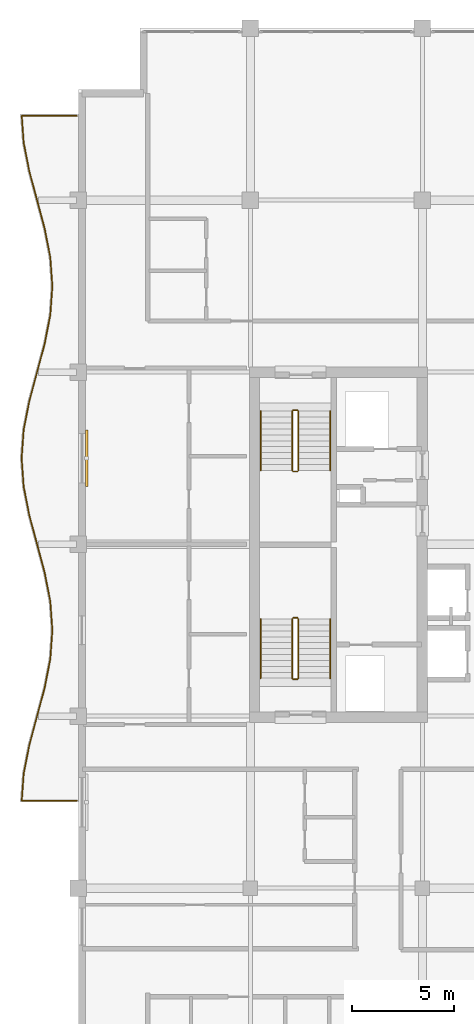
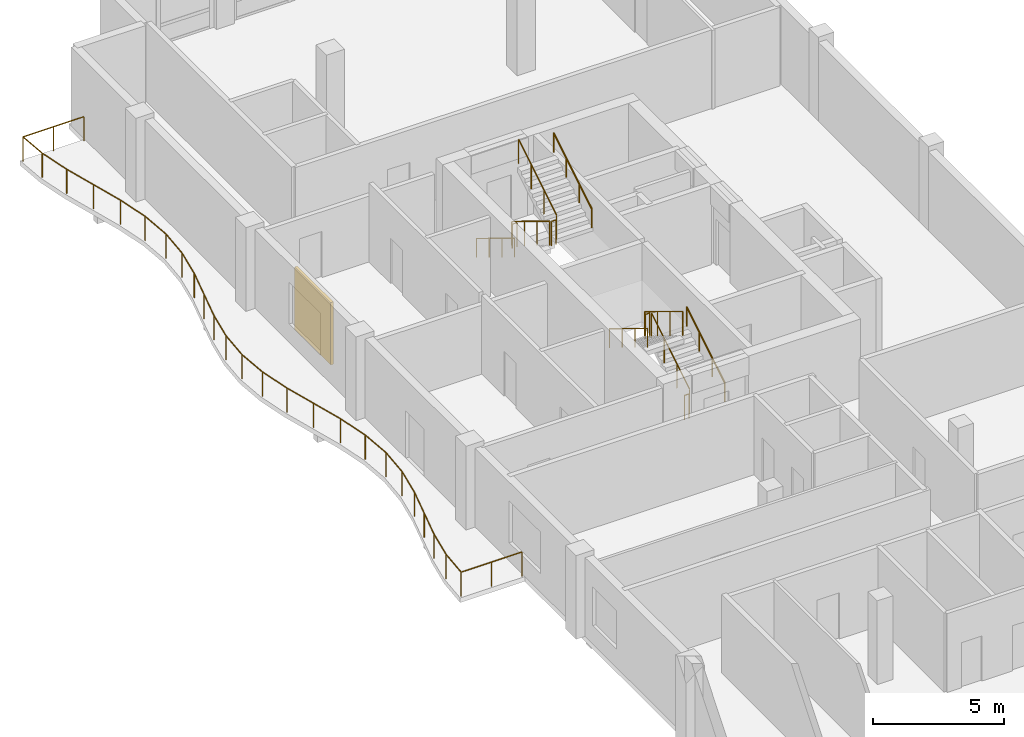
# One storey, part 16 of 17: 13 railings, 1 shading device.
"""IFC4 building model written with IfcOpenShell, lengths in metres."""

from ifc_helpers import new_model, si_unit, direction, frame, origin, origin_2d, place, context, subcontext, project, spatial, rectangle, circle, extrude, material, layer, layer_set, type_object, element, save


model = new_model("IFC4")

# Units and contexts
model_context = context("Model", 3, precision=1e-05, world=origin(), true_north=direction((0.0, 1.0)))
body_context = subcontext(model_context, "Body", "Model", "MODEL_VIEW")
ifc_project = project(units=[si_unit("LENGTHUNIT", "METRE"), si_unit("AREAUNIT", "SQUARE_METRE"), si_unit("VOLUMEUNIT", "CUBIC_METRE"), si_unit("PLANEANGLEUNIT", "RADIAN"), si_unit("MASSUNIT", "GRAM", prefix="KILO")], contexts=[model_context])

# Site, building, storey
site_placement = place(None, origin())
site = spatial("IfcSite", under=ifc_project, at=site_placement, CompositionType="ELEMENT")
building_placement = place(site_placement, origin())
building = spatial("IfcBuilding", under=site, at=building_placement, Name="Koriwani Terraces Tower", CompositionType="ELEMENT")
storey_placement = place(building_placement, frame((0.0, 0.0, 316.39990234375)))
storey = spatial("IfcBuildingStorey", under=building, at=storey_placement, Name="L78", CompositionType="ELEMENT", Elevation=316.39990234375)

# Railings
ifc_material_1 = material(Name="Steel ASTM A572 Grade 50", Category="steel")
railing_type_1 = type_object("IfcRailingType", Name="GUARD_BALUSTRADE_1150", PredefinedType="BALUSTRADE", material=ifc_material_1)
railing_1_placement = place(storey_placement, frame((8.320068359375, 37.8798828125, 0.0)))
element("IfcRailing", 1, at=railing_1_placement, inside=storey, type_object=railing_type_1, Name="L78 Balcony Perimeter Safety Balustrade (W)", PredefinedType="BALUSTRADE", context=body_context, shape_type="SweptSolid", body=[
    extrude(circle(Radius=0.02392578125, at=origin_2d()), frame((0.0, 0.0, 1.1259765625), z_axis=(-1.0, 0.0, 0.0), x_axis=(0.0, -1.0, 0.0)), (0.0, 0.0, 1.0), 2.68408203125),
    extrude(circle(Radius=0.02392578125, at=origin_2d()), frame((-2.68408203125, 0.0, 1.1259765625), z_axis=(0.071590627916, 0.997434099073, 0.0), x_axis=(-0.997434099073, 0.071590627916, 0.0)), (0.0, 0.0, 1.0), 1.31298828125),
    extrude(circle(Radius=0.02392578125, at=origin_2d()), frame((-2.590087890625, 1.3095703125, 1.1259765625), z_axis=(0.19237547223, 0.981321393675, 0.0), x_axis=(-0.981321393675, 0.19237547223, 0.0)), (0.0, 0.0, 1.0), 1.4189453125),
    extrude(circle(Radius=0.02392578125, at=origin_2d()), frame((-2.317138671875, 2.701904296875, 1.1259765625), z_axis=(0.258710827923, 0.965954816498, 0.0), x_axis=(-0.965954816498, 0.258710827923, 0.0)), (0.0, 0.0, 1.0), 2.89892578125),
    extrude(circle(Radius=0.02392578125, at=origin_2d()), frame((-1.567138671875, 5.502197265625, 1.1259765625), z_axis=(0.192218357442, 0.981352180954, 0.0), x_axis=(-0.981352180954, 0.192218357442, 0.0)), (0.0, 0.0, 1.0), 1.43408203125),
    extrude(circle(Radius=0.02392578125, at=origin_2d()), frame((-1.29150390625, 6.909423828125, 1.1259765625), z_axis=(0.071639614309, 0.997430581876, 0.0), x_axis=(-0.997430581876, 0.071639614309, 0.0)), (0.0, 0.0, 1.0), 1.414306640625),
    extrude(circle(Radius=0.02392578125, at=origin_2d()), frame((-1.190185546875, 8.320068359375, 1.1259765625), z_axis=(-0.071639614309, 0.997430581876, 0.0), x_axis=(-0.997430581876, -0.071639614309, 0.0)), (0.0, 0.0, 1.0), 1.414306640625),
    extrude(circle(Radius=0.02392578125, at=origin_2d()), frame((-1.29150390625, 9.730712890625, 1.1259765625), z_axis=(-0.192186246762, 0.981358469957, 0.0), x_axis=(-0.981358469957, -0.192186246762, 0.0)), (0.0, 0.0, 1.0), 1.434326171875),
    extrude(circle(Radius=0.02392578125, at=origin_2d()), frame((-1.567138671875, 11.13818359375, 1.1259765625), z_axis=(-0.258731875344, 0.96594917914, 0.0), x_axis=(-0.96594917914, -0.258731875344, 0.0)), (0.0, 0.0, 1.0), 2.898681640625),
    extrude(circle(Radius=0.02392578125, at=origin_2d()), frame((-2.317138671875, 13.938232421875, 1.1259765625), z_axis=(-0.192342993657, 0.981327760125, 0.0), x_axis=(-0.981327760125, -0.192342993657, 0.0)), (0.0, 0.0, 1.0), 1.419189453125),
    extrude(circle(Radius=0.02392578125, at=origin_2d()), frame((-2.590087890625, 15.330810546875, 1.1259765625), z_axis=(-0.07168297904, 0.997427466293, 0.0), x_axis=(-0.997427466293, -0.07168297904, 0.0)), (0.0, 0.0, 1.0), 1.39306640625),
    extrude(circle(Radius=0.02392578125, at=origin_2d()), frame((-2.68994140625, 16.72021484375, 1.1259765625), z_axis=(0.07168297904, 0.997427466293, 0.0), x_axis=(-0.997427466293, 0.07168297904, 0.0)), (0.0, 0.0, 1.0), 1.39306640625),
    extrude(circle(Radius=0.02392578125, at=origin_2d()), frame((-2.590087890625, 18.109619140625, 1.1259765625), z_axis=(0.19237547223, 0.981321393675, 0.0), x_axis=(-0.981321393675, 0.19237547223, 0.0)), (0.0, 0.0, 1.0), 1.4189453125),
    extrude(circle(Radius=0.02392578125, at=origin_2d()), frame((-2.317138671875, 19.501953125, 1.1259765625), z_axis=(0.258731875344, 0.96594917914, 0.0), x_axis=(-0.96594917914, 0.258731875344, 0.0)), (0.0, 0.0, 1.0), 2.898681640625),
    extrude(circle(Radius=0.02392578125, at=origin_2d()), frame((-1.567138671875, 22.302001953125, 1.1259765625), z_axis=(0.192186246762, 0.981358469957, 0.0), x_axis=(-0.981358469957, 0.192186246762, 0.0)), (0.0, 0.0, 1.0), 1.434326171875),
    extrude(circle(Radius=0.02392578125, at=origin_2d()), frame((-1.29150390625, 23.70947265625, 1.1259765625), z_axis=(0.071639614309, 0.997430581876, 0.0), x_axis=(-0.997430581876, 0.071639614309, 0.0)), (0.0, 0.0, 1.0), 1.414306640625),
    extrude(circle(Radius=0.02392578125, at=origin_2d()), frame((-1.190185546875, 25.1201171875, 1.1259765625), z_axis=(-0.071639614309, 0.997430581876, 0.0), x_axis=(-0.997430581876, -0.071639614309, 0.0)), (0.0, 0.0, 1.0), 1.414306640625),
    extrude(circle(Radius=0.02392578125, at=origin_2d()), frame((-1.29150390625, 26.53076171875, 1.1259765625), z_axis=(-0.192186246762, 0.981358469957, 0.0), x_axis=(-0.981358469957, -0.192186246762, 0.0)), (0.0, 0.0, 1.0), 1.434326171875),
    extrude(circle(Radius=0.02392578125, at=origin_2d()), frame((-1.567138671875, 27.938232421875, 1.1259765625), z_axis=(-0.258731875344, 0.96594917914, 0.0), x_axis=(-0.96594917914, -0.258731875344, 0.0)), (0.0, 0.0, 1.0), 2.898681640625),
    extrude(circle(Radius=0.02392578125, at=origin_2d()), frame((-2.317138671875, 30.73828125, 1.1259765625), z_axis=(-0.19237547223, 0.981321393675, 0.0), x_axis=(-0.981321393675, -0.19237547223, 0.0)), (0.0, 0.0, 1.0), 1.4189453125),
    extrude(circle(Radius=0.02392578125, at=origin_2d()), frame((-2.590087890625, 32.130615234375, 1.1259765625), z_axis=(-0.071590627916, 0.997434099073, 0.0), x_axis=(-0.997434099073, -0.071590627916, 0.0)), (0.0, 0.0, 1.0), 1.31298828125),
    extrude(circle(Radius=0.02392578125, at=origin_2d()), frame((-2.68408203125, 33.440185546875, 1.1259765625), z_axis=(1.0, 0.0, 0.0), x_axis=(0.0, 1.0, 0.0)), (0.0, 0.0, 1.0), 2.68408203125),
    extrude(circle(Radius=0.02099609375, at=origin_2d()), origin(), (0.0, 0.0, 1.0), 1.101806640625),
    extrude(circle(Radius=0.02099609375, at=origin_2d()), frame((-1.342041015625, 0.0, 0.0)), (0.0, 0.0, 1.0), 1.101806640625),
    extrude(circle(Radius=0.02099609375, at=origin_2d()), frame((-2.68408203125, 0.0, 0.0)), (0.0, 0.0, 1.0), 1.101806640625),
    extrude(circle(Radius=0.02099609375, at=origin_2d()), frame((-2.590087890625, 1.3095703125, 0.0)), (0.0, 0.0, 1.0), 1.101806640625),
    extrude(circle(Radius=0.02099609375, at=origin_2d()), frame((-2.317138671875, 2.701904296875, 0.0)), (0.0, 0.0, 1.0), 1.101806640625),
    extrude(circle(Radius=0.02099609375, at=origin_2d()), frame((-1.942138671875, 4.10205078125, 0.0)), (0.0, 0.0, 1.0), 1.101806640625),
    extrude(circle(Radius=0.02099609375, at=origin_2d()), frame((-1.567138671875, 5.502197265625, 0.0)), (0.0, 0.0, 1.0), 1.101806640625),
    extrude(circle(Radius=0.02099609375, at=origin_2d()), frame((-1.29150390625, 6.909423828125, 0.0)), (0.0, 0.0, 1.0), 1.101806640625),
    extrude(circle(Radius=0.02099609375, at=origin_2d()), frame((-1.190185546875, 8.320068359375, 0.0)), (0.0, 0.0, 1.0), 1.101806640625),
    extrude(circle(Radius=0.02099609375, at=origin_2d()), frame((-1.29150390625, 9.730712890625, 0.0)), (0.0, 0.0, 1.0), 1.101806640625),
    extrude(circle(Radius=0.02099609375, at=origin_2d()), frame((-1.567138671875, 11.13818359375, 0.0)), (0.0, 0.0, 1.0), 1.101806640625),
    extrude(circle(Radius=0.02099609375, at=origin_2d()), frame((-1.942138671875, 12.5380859375, 0.0)), (0.0, 0.0, 1.0), 1.101806640625),
    extrude(circle(Radius=0.02099609375, at=origin_2d()), frame((-2.317138671875, 13.938232421875, 0.0)), (0.0, 0.0, 1.0), 1.101806640625),
    extrude(circle(Radius=0.02099609375, at=origin_2d()), frame((-2.590087890625, 15.330810546875, 0.0)), (0.0, 0.0, 1.0), 1.101806640625),
    extrude(circle(Radius=0.02099609375, at=origin_2d()), frame((-2.68994140625, 16.72021484375, 0.0)), (0.0, 0.0, 1.0), 1.101806640625),
    extrude(circle(Radius=0.02099609375, at=origin_2d()), frame((-2.590087890625, 18.109619140625, 0.0)), (0.0, 0.0, 1.0), 1.101806640625),
    extrude(circle(Radius=0.02099609375, at=origin_2d()), frame((-2.317138671875, 19.501953125, 0.0)), (0.0, 0.0, 1.0), 1.101806640625),
    extrude(circle(Radius=0.02099609375, at=origin_2d()), frame((-1.942138671875, 20.90185546875, 0.0)), (0.0, 0.0, 1.0), 1.101806640625),
    extrude(circle(Radius=0.02099609375, at=origin_2d()), frame((-1.567138671875, 22.302001953125, 0.0)), (0.0, 0.0, 1.0), 1.101806640625),
    extrude(circle(Radius=0.02099609375, at=origin_2d()), frame((-1.29150390625, 23.70947265625, 0.0)), (0.0, 0.0, 1.0), 1.101806640625),
    extrude(circle(Radius=0.02099609375, at=origin_2d()), frame((-1.190185546875, 25.1201171875, 0.0)), (0.0, 0.0, 1.0), 1.101806640625),
    extrude(circle(Radius=0.02099609375, at=origin_2d()), frame((-1.29150390625, 26.53076171875, 0.0)), (0.0, 0.0, 1.0), 1.101806640625),
    extrude(circle(Radius=0.02099609375, at=origin_2d()), frame((-1.567138671875, 27.938232421875, 0.0)), (0.0, 0.0, 1.0), 1.101806640625),
    extrude(circle(Radius=0.02099609375, at=origin_2d()), frame((-1.942138671875, 29.33837890625, 0.0)), (0.0, 0.0, 1.0), 1.101806640625),
    extrude(circle(Radius=0.02099609375, at=origin_2d()), frame((-2.317138671875, 30.73828125, 0.0)), (0.0, 0.0, 1.0), 1.101806640625),
    extrude(circle(Radius=0.02099609375, at=origin_2d()), frame((-2.590087890625, 32.130615234375, 0.0)), (0.0, 0.0, 1.0), 1.101806640625),
    extrude(circle(Radius=0.02099609375, at=origin_2d()), frame((-2.68408203125, 33.440185546875, 0.0)), (0.0, 0.0, 1.0), 1.101806640625),
    extrude(circle(Radius=0.02099609375, at=origin_2d()), frame((-1.342041015625, 33.440185546875, 0.0)), (0.0, 0.0, 1.0), 1.101806640625),
    extrude(circle(Radius=0.02099609375, at=origin_2d()), frame((0.0, 33.440185546875, 0.0)), (0.0, 0.0, 1.0), 1.101806640625),
])
railing_type_2 = type_object("IfcRailingType", Name="GUARD_STAIR_WELL_1120", PredefinedType="GUARDRAIL", material=ifc_material_1)
railing_2_placement = place(storey_placement, frame((19.14990234375, 43.85009765625, 0.177490234375)))
element("IfcRailing", 2, at=railing_2_placement, inside=storey, type_object=railing_type_2, Name="L78 ST-W1 stair guard 1", PredefinedType="GUARDRAIL", context=body_context, shape_type="SweptSolid", body=[
    extrude(circle(Radius=0.02392578125, at=origin_2d()), frame((0.0, 0.0, 1.1259765625), z_axis=(0.0, 0.853210801645, 0.521566225858), x_axis=(-1.0, 0.0, 0.0)), (0.0, 0.0, 1.0), 3.39892578125),
    extrude(circle(Radius=0.02099609375, at=origin_2d()), origin(), (0.0, 0.0, 1.0), 1.101806640625),
    extrude(circle(Radius=0.02099609375, at=origin_2d()), frame((0.0, 0.966552734375, 0.5908203125)), (0.0, 0.0, 1.0), 1.101806640625),
    extrude(circle(Radius=0.02099609375, at=origin_2d()), frame((0.0, 1.933349609375, 1.181884765625)), (0.0, 0.0, 1.0), 1.101806640625),
    extrude(circle(Radius=0.02099609375, at=origin_2d()), frame((0.0, 2.89990234375, 1.772705078125)), (0.0, 0.0, 1.0), 1.101806640625),
])
railing_3_placement = place(storey_placement, frame((19.10009765625, 46.800048828125, 1.9501953125)))
element("IfcRailing", 3, at=railing_3_placement, inside=storey, type_object=railing_type_2, Name="L78 ST-W1 stair guard 2", PredefinedType="GUARDRAIL", context=body_context, shape_type="SweptSolid", body=[
    extrude(circle(Radius=0.02392578125, at=origin_2d()), frame((0.0, 0.0, 1.1259765625), z_axis=(-1.0, 0.0, 0.0), x_axis=(0.0, -1.0, 0.0)), (0.0, 0.0, 1.0), 0.2001953125),
    extrude(circle(Radius=0.02099609375, at=origin_2d()), origin(), (0.0, 0.0, 1.0), 1.101806640625),
    extrude(circle(Radius=0.02099609375, at=origin_2d()), frame((-0.2001953125, 0.0, 0.0)), (0.0, 0.0, 1.0), 1.101806640625),
])
railing_4_placement = place(storey_placement, frame((18.85009765625, 46.75, 2.12744140625)))
element("IfcRailing", 4, at=railing_4_placement, inside=storey, type_object=railing_type_2, Name="L78 ST-W1 stair guard 3", PredefinedType="GUARDRAIL", context=body_context, shape_type="SweptSolid", body=[
    extrude(circle(Radius=0.02392578125, at=origin_2d()), frame((0.0, 0.0, 1.1259765625), z_axis=(0.0, -0.853210801645, 0.521566225858), x_axis=(1.0, 0.0, 0.0)), (0.0, 0.0, 1.0), 3.39892578125),
    extrude(circle(Radius=0.02099609375, at=origin_2d()), origin(), (0.0, 0.0, 1.0), 1.101806640625),
    extrude(circle(Radius=0.02099609375, at=origin_2d()), frame((0.0, -0.966552734375, 0.5908203125)), (0.0, 0.0, 1.0), 1.101806640625),
    extrude(circle(Radius=0.02099609375, at=origin_2d()), frame((0.0, -1.933349609375, 1.181884765625)), (0.0, 0.0, 1.0), 1.101806640625),
    extrude(circle(Radius=0.02099609375, at=origin_2d()), frame((0.0, -2.89990234375, 1.772705078125)), (0.0, 0.0, 1.0), 1.101806640625),
])
railing_5_placement = place(storey_placement, frame((19.10009765625, 43.800048828125, 0.0)))
element("IfcRailing", 5, at=railing_5_placement, inside=storey, type_object=railing_type_2, Name="L78 ST-W1 stair guard 4", PredefinedType="GUARDRAIL", context=body_context, shape_type="SweptSolid", body=[
    extrude(circle(Radius=0.02392578125, at=origin_2d()), frame((0.0, 0.0, 1.1259765625), z_axis=(-1.0, 0.0, 0.0), x_axis=(0.0, -1.0, 0.0)), (0.0, 0.0, 1.0), 0.2001953125),
    extrude(circle(Radius=0.02099609375, at=origin_2d()), origin(), (0.0, 0.0, 1.0), 1.101806640625),
    extrude(circle(Radius=0.02099609375, at=origin_2d()), frame((-0.2001953125, 0.0, 0.0)), (0.0, 0.0, 1.0), 1.101806640625),
])
railing_6_placement = place(storey_placement, frame((18.85009765625, 56.89990234375, 0.177490234375)))
element("IfcRailing", 6, at=railing_6_placement, inside=storey, type_object=railing_type_2, Name="L78 ST-W2 stair guard 1", PredefinedType="GUARDRAIL", context=body_context, shape_type="SweptSolid", body=[
    extrude(circle(Radius=0.02392578125, at=origin_2d()), frame((0.0, 0.0, 1.1259765625), z_axis=(0.0, -0.853210801645, 0.521566225858), x_axis=(1.0, 0.0, 0.0)), (0.0, 0.0, 1.0), 3.39892578125),
    extrude(circle(Radius=0.02099609375, at=origin_2d()), origin(), (0.0, 0.0, 1.0), 1.101806640625),
    extrude(circle(Radius=0.02099609375, at=origin_2d()), frame((0.0, -0.966552734375, 0.5908203125)), (0.0, 0.0, 1.0), 1.101806640625),
    extrude(circle(Radius=0.02099609375, at=origin_2d()), frame((0.0, -1.933349609375, 1.181884765625)), (0.0, 0.0, 1.0), 1.101806640625),
    extrude(circle(Radius=0.02099609375, at=origin_2d()), frame((0.0, -2.89990234375, 1.772705078125)), (0.0, 0.0, 1.0), 1.101806640625),
])
railing_7_placement = place(storey_placement, frame((18.89990234375, 53.949951171875, 1.9501953125)))
element("IfcRailing", 7, at=railing_7_placement, inside=storey, type_object=railing_type_2, Name="L78 ST-W2 stair guard 2", PredefinedType="GUARDRAIL", context=body_context, shape_type="SweptSolid", body=[
    extrude(circle(Radius=0.02392578125, at=origin_2d()), frame((0.0, 0.0, 1.1259765625), z_axis=(1.0, 0.0, 0.0), x_axis=(0.0, 1.0, 0.0)), (0.0, 0.0, 1.0), 0.2001953125),
    extrude(circle(Radius=0.02099609375, at=origin_2d()), origin(), (0.0, 0.0, 1.0), 1.101806640625),
    extrude(circle(Radius=0.02099609375, at=origin_2d()), frame((0.2001953125, 0.0, 0.0)), (0.0, 0.0, 1.0), 1.101806640625),
])
railing_8_placement = place(storey_placement, frame((19.14990234375, 54.0, 2.12744140625)))
element("IfcRailing", 8, at=railing_8_placement, inside=storey, type_object=railing_type_2, Name="L78 ST-W2 stair guard 3", PredefinedType="GUARDRAIL", context=body_context, shape_type="SweptSolid", body=[
    extrude(circle(Radius=0.02392578125, at=origin_2d()), frame((0.0, 0.0, 1.1259765625), z_axis=(0.0, 0.853210801645, 0.521566225858), x_axis=(-1.0, 0.0, 0.0)), (0.0, 0.0, 1.0), 3.39892578125),
    extrude(circle(Radius=0.02099609375, at=origin_2d()), origin(), (0.0, 0.0, 1.0), 1.101806640625),
    extrude(circle(Radius=0.02099609375, at=origin_2d()), frame((0.0, 0.966552734375, 0.5908203125)), (0.0, 0.0, 1.0), 1.101806640625),
    extrude(circle(Radius=0.02099609375, at=origin_2d()), frame((0.0, 1.933349609375, 1.181884765625)), (0.0, 0.0, 1.0), 1.101806640625),
    extrude(circle(Radius=0.02099609375, at=origin_2d()), frame((0.0, 2.89990234375, 1.772705078125)), (0.0, 0.0, 1.0), 1.101806640625),
])
railing_9_placement = place(storey_placement, frame((18.89990234375, 56.949951171875, 0.0)))
element("IfcRailing", 9, at=railing_9_placement, inside=storey, type_object=railing_type_2, Name="L78 ST-W2 stair guard 4", PredefinedType="GUARDRAIL", context=body_context, shape_type="SweptSolid", body=[
    extrude(circle(Radius=0.02392578125, at=origin_2d()), frame((0.0, 0.0, 1.1259765625), z_axis=(1.0, 0.0, 0.0), x_axis=(0.0, 1.0, 0.0)), (0.0, 0.0, 1.0), 0.2001953125),
    extrude(circle(Radius=0.02099609375, at=origin_2d()), origin(), (0.0, 0.0, 1.0), 1.101806640625),
    extrude(circle(Radius=0.02099609375, at=origin_2d()), frame((0.2001953125, 0.0, 0.0)), (0.0, 0.0, 1.0), 1.101806640625),
])
railing_type_3 = type_object("IfcRailingType", Name="HANDRAIL_STAIR_920", PredefinedType="HANDRAIL", material=ifc_material_1)
railing_10_placement = place(storey_placement, frame((20.699951171875, 43.85009765625, 0.177490234375)))
element("IfcRailing", 10, at=railing_10_placement, inside=storey, type_object=railing_type_3, Name="L78 ST-W1 stair handrail 1", PredefinedType="HANDRAIL", context=body_context, shape_type="SweptSolid", body=[
    extrude(circle(Radius=0.02392578125, at=origin_2d()), frame((0.0, 0.0, 0.8759765625), z_axis=(0.0, 0.853210801645, 0.521566225858), x_axis=(-1.0, 0.0, 0.0)), (0.0, 0.0, 1.0), 3.39892578125),
    extrude(circle(Radius=0.02099609375, at=origin_2d()), origin(), (0.0, 0.0, 1.0), 0.851806640625),
    extrude(circle(Radius=0.02099609375, at=origin_2d()), frame((0.0, 0.966552734375, 0.5908203125)), (0.0, 0.0, 1.0), 0.851806640625),
    extrude(circle(Radius=0.02099609375, at=origin_2d()), frame((0.0, 1.933349609375, 1.181884765625)), (0.0, 0.0, 1.0), 0.851806640625),
    extrude(circle(Radius=0.02099609375, at=origin_2d()), frame((0.0, 2.89990234375, 1.772705078125)), (0.0, 0.0, 1.0), 0.851806640625),
])
for number, where, name in (
    (11, (17.300048828125, 46.75, 2.12744140625), "L78 ST-W1 stair handrail 2"),
    (12, (17.300048828125, 56.89990234375, 0.177490234375), "L78 ST-W2 stair handrail 1"),
):
    element("IfcRailing", number, at=place(storey_placement, frame(where)), inside=storey, type_object=railing_type_3, Name=name, PredefinedType="HANDRAIL", context=body_context, shape_type="SweptSolid", body=[
        extrude(circle(Radius=0.02392578125, at=origin_2d()), frame((0.0, 0.0, 0.8759765625), z_axis=(0.0, -0.853210801645, 0.521566225858), x_axis=(1.0, 0.0, 0.0)), (0.0, 0.0, 1.0), 3.39892578125),
        extrude(circle(Radius=0.02099609375, at=origin_2d()), origin(), (0.0, 0.0, 1.0), 0.851806640625),
        extrude(circle(Radius=0.02099609375, at=origin_2d()), frame((0.0, -0.966552734375, 0.5908203125)), (0.0, 0.0, 1.0), 0.851806640625),
        extrude(circle(Radius=0.02099609375, at=origin_2d()), frame((0.0, -1.933349609375, 1.181884765625)), (0.0, 0.0, 1.0), 0.851806640625),
        extrude(circle(Radius=0.02099609375, at=origin_2d()), frame((0.0, -2.89990234375, 1.772705078125)), (0.0, 0.0, 1.0), 0.851806640625),
    ])
railing_11_placement = place(storey_placement, frame((20.699951171875, 54.0, 2.12744140625)))
element("IfcRailing", 13, at=railing_11_placement, inside=storey, type_object=railing_type_3, Name="L78 ST-W2 stair handrail 2", PredefinedType="HANDRAIL", context=body_context, shape_type="SweptSolid", body=[
    extrude(circle(Radius=0.02392578125, at=origin_2d()), frame((0.0, 0.0, 0.8759765625), z_axis=(0.0, 0.853210801645, 0.521566225858), x_axis=(-1.0, 0.0, 0.0)), (0.0, 0.0, 1.0), 3.39892578125),
    extrude(circle(Radius=0.02099609375, at=origin_2d()), origin(), (0.0, 0.0, 1.0), 0.851806640625),
    extrude(circle(Radius=0.02099609375, at=origin_2d()), frame((0.0, 0.966552734375, 0.5908203125)), (0.0, 0.0, 1.0), 0.851806640625),
    extrude(circle(Radius=0.02099609375, at=origin_2d()), frame((0.0, 1.933349609375, 1.181884765625)), (0.0, 0.0, 1.0), 0.851806640625),
    extrude(circle(Radius=0.02099609375, at=origin_2d()), frame((0.0, 2.89990234375, 1.772705078125)), (0.0, 0.0, 1.0), 0.851806640625),
])

# Shading device
ifc_material_2 = material(Name="Extruded Terracotta Clay", Category="masonry")
ifc_layer = layer(ifc_material_2, 0.1201171875, Name="Extruded Terracotta Clay")
ifc_layer_set = layer_set([ifc_layer], Name="Extruded Terracotta Clay")
shading_device_type = type_object("IfcShadingDeviceType", Name="TERRACOTTA_BAGUETTE_SCREEN_2800", PredefinedType="USERDEFINED", material=ifc_layer_set)
shading_device_placement = place(storey_placement, frame((8.804931640625, 54.60009765625, 0.38525390625), z_axis=(0.0, 0.0, 1.0), x_axis=(0.0, 1.0, 0.0)))
element("IfcShadingDevice", 14, at=shading_device_placement, inside=storey, type_object=shading_device_type, Name="L78 Extruded Terracotta Baguette Screen (W-15)", ObjectType="BAGUETTE", PredefinedType="USERDEFINED", context=body_context, shape_type="SweptSolid", body=[
    extrude(rectangle(XDim=2.760009765625, YDim=0.1201171875, at=origin_2d()), origin(), (0.0, 0.0, 1.0), 2.89990234375),
])

save(model, "model.ifc")
